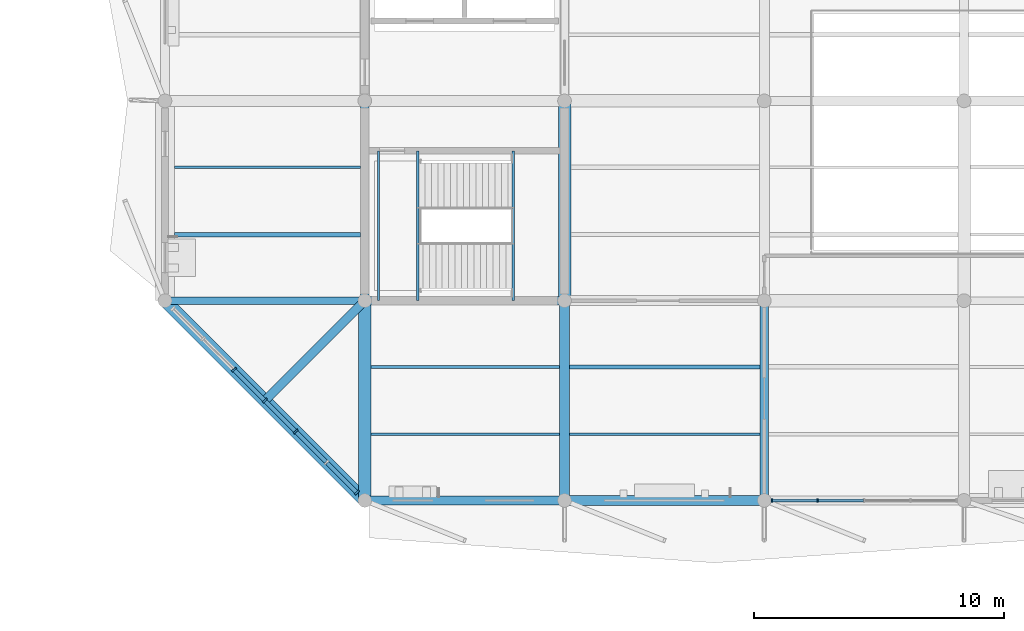
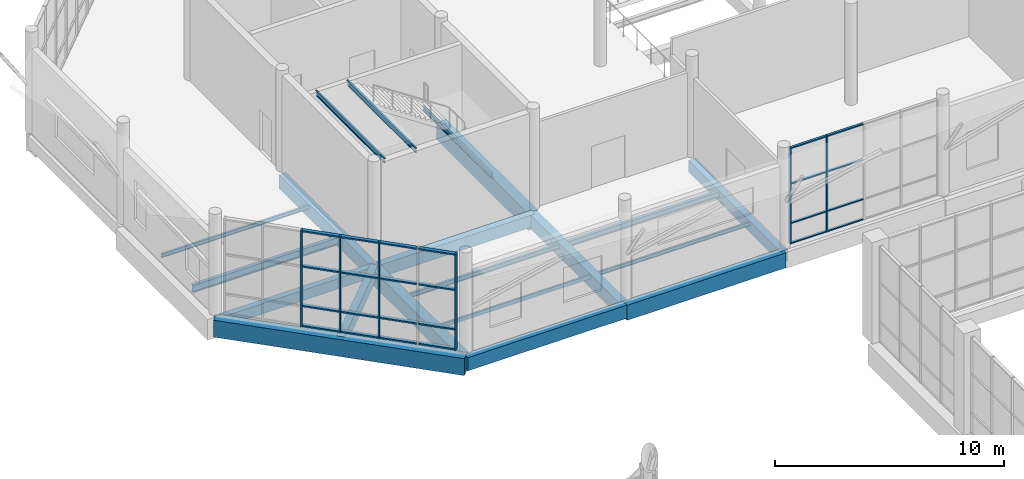
# One storey, part 44 of 122: 30 members, 20 beams, 2 elements without a shape of their own.
"""IFC4 building model written with IfcOpenShell, lengths in metres."""

from ifc_helpers import new_model, si_unit, direction, frame, origin, origin_2d, place, context, subcontext, project, spatial, rectangle, hollow_rectangle, i_section, extrude, material, material_profile, profile_set, type_object, element, aggregate, save


model = new_model("IFC4")

# Units and contexts
model_context = context("Model", 3, precision=1e-05, world=origin(), true_north=direction((0.0, 1.0)))
body_context = subcontext(model_context, "Body", "Model", "MODEL_VIEW")
ifc_project = project(units=[si_unit("LENGTHUNIT", "METRE"), si_unit("AREAUNIT", "SQUARE_METRE"), si_unit("VOLUMEUNIT", "CUBIC_METRE"), si_unit("PLANEANGLEUNIT", "RADIAN"), si_unit("MASSUNIT", "GRAM", prefix="KILO")], contexts=[model_context])

# Site, building, storey
site_placement = place(None, origin())
site = spatial("IfcSite", under=ifc_project, at=site_placement, CompositionType="ELEMENT")
building_placement = place(site_placement, origin())
building = spatial("IfcBuilding", under=site, at=building_placement, Name="Tenunan Teduh Sports Hall", CompositionType="ELEMENT")
storey_placement = place(building_placement, frame((0.0, 0.0, 5.39990234375)))
storey = spatial("IfcBuildingStorey", under=building, at=storey_placement, Name="L01", CompositionType="ELEMENT", Elevation=5.39990234375)

# Beams
ifc_material_1 = material(Name="Concrete C40/50", Category="concrete")
ifc_material_profile_1 = material_profile(ifc_material_1, rectangle(XDim=0.300048828125, YDim=0.550048828125, at=origin_2d()), Name="RCB 300x550")
ifc_profile_set_1 = profile_set([ifc_material_profile_1], Name="Concrete C40/50")
beam_type_1 = type_object("IfcBeamType", Name="BM-RC-300x550", PredefinedType="BEAM", material=ifc_profile_set_1)
beam_1_placement = place(storey_placement, frame((98.0, 94.0, -0.534912109375), z_axis=(1.0, 0.0, 0.0), x_axis=(0.0, 1.0, 0.0)))
element("IfcBeam", 1, at=beam_1_placement, inside=storey, type_object=beam_type_1, Name="BM-B-02-L01-1130", PredefinedType="BEAM", context=body_context, shape_type="SweptSolid", body=[
    extrude(rectangle(XDim=0.300048828125, YDim=0.550048828125, at=origin_2d()), origin(), (0.0, 0.0, 1.0), 8.0),
])
ifc_material_2 = material(Name="Concrete C40/50", Category="concrete")
ifc_material_profile_2 = material_profile(ifc_material_2, rectangle(XDim=0.35009765625, YDim=0.60009765625, at=origin_2d()), Name="RCB 350x600")
ifc_profile_set_2 = profile_set([ifc_material_profile_2], Name="Concrete C40/50")
beam_type_2 = type_object("IfcBeamType", Name="BM-RC-350x600", PredefinedType="BEAM", material=ifc_profile_set_2)
beam_2_placement = place(storey_placement, frame((122.0, 86.0, -0.559814453125), z_axis=(0.0, 1.0, 0.0), x_axis=(-1.0, 0.0, 0.0)))
element("IfcBeam", 2, at=beam_2_placement, inside=storey, type_object=beam_type_2, Name="BM-B-04-L01-1273", PredefinedType="BEAM", context=body_context, shape_type="SweptSolid", body=[
    extrude(rectangle(XDim=0.35009765625, YDim=0.60009765625, at=origin_2d()), origin(), (0.0, 0.0, 1.0), 8.0),
])
beam_3_placement = place(storey_placement, frame((106.0, 94.0, -0.5498046875), z_axis=(-0.707106781187, -0.707106781187, 0.0), x_axis=(0.707106781187, -0.707106781187, 0.0)))
element("IfcBeam", 3, at=beam_3_placement, inside=storey, type_object=beam_type_2, Name="BM-B-04-L01-2238", PredefinedType="BEAM", context=body_context, shape_type="SweptSolid", body=[
    extrude(rectangle(XDim=0.35009765625, YDim=0.60009765625, at=origin_2d()), origin(), (0.0, 0.0, 1.0), 5.65673828125),
])
ifc_material_3 = material(Name="Concrete C40/50", Category="concrete")
ifc_material_profile_3 = material_profile(ifc_material_3, rectangle(XDim=0.35009765625, YDim=0.64990234375, at=origin_2d()), Name="RCB 350x650")
ifc_profile_set_3 = profile_set([ifc_material_profile_3], Name="Concrete C40/50")
beam_type_3 = type_object("IfcBeamType", Name="BM-RC-350x650", PredefinedType="BEAM", material=ifc_profile_set_3)
beam_4_placement = place(storey_placement, frame((106.0, 94.0, -0.5849609375), z_axis=(1.0, 0.0, 0.0), x_axis=(0.0, 1.0, 0.0)))
element("IfcBeam", 4, at=beam_4_placement, inside=storey, type_object=beam_type_3, Name="BM-B-05-L01-1131", PredefinedType="BEAM", context=body_context, shape_type="SweptSolid", body=[
    extrude(rectangle(XDim=0.35009765625, YDim=0.64990234375, at=origin_2d()), origin(), (0.0, 0.0, 1.0), 8.0),
])
ifc_material_4 = material(Name="Concrete C40/50", Category="concrete")
ifc_material_profile_4 = material_profile(ifc_material_4, rectangle(XDim=0.35009765625, YDim=0.699951171875, at=origin_2d()), Name="RCB 350x700")
ifc_profile_set_4 = profile_set([ifc_material_profile_4], Name="Concrete C40/50")
beam_type_4 = type_object("IfcBeamType", Name="BM-RC-350x700", PredefinedType="BEAM", material=ifc_profile_set_4)
beam_5_placement = place(storey_placement, frame((106.0, 86.0, -0.60986328125), z_axis=(1.0, 0.0, 0.0), x_axis=(0.0, 1.0, 0.0)))
element("IfcBeam", 5, at=beam_5_placement, inside=storey, type_object=beam_type_4, Name="BM-B-06-L01-1114", PredefinedType="BEAM", context=body_context, shape_type="SweptSolid", body=[
    extrude(rectangle(XDim=0.35009765625, YDim=0.699951171875, at=origin_2d()), origin(), (0.0, 0.0, 1.0), 8.0),
])
ifc_material_5 = material(Name="Concrete C40/50", Category="concrete")
ifc_material_profile_5 = material_profile(ifc_material_5, rectangle(XDim=0.39990234375, YDim=0.75, at=origin_2d()), Name="RCB 400x750")
ifc_profile_set_5 = profile_set([ifc_material_profile_5], Name="Concrete C40/50")
beam_type_5 = type_object("IfcBeamType", Name="BM-RC-400x750", PredefinedType="BEAM", material=ifc_profile_set_5)
beam_6_placement = place(storey_placement, frame((114.0, 86.0, -0.635009765625), z_axis=(0.0, 1.0, 0.0), x_axis=(-1.0, 0.0, 0.0)))
element("IfcBeam", 6, at=beam_6_placement, inside=storey, type_object=beam_type_5, Name="BM-B-09-L01-1261", PredefinedType="BEAM", context=body_context, shape_type="SweptSolid", body=[
    extrude(rectangle(XDim=0.39990234375, YDim=0.75, at=origin_2d()), origin(), (0.0, 0.0, 1.0), 8.0),
])
ifc_material_6 = material(Name="Concrete C40/50", Category="concrete")
ifc_material_profile_6 = material_profile(ifc_material_6, rectangle(XDim=0.39990234375, YDim=0.800048828125, at=origin_2d()), Name="RCB 400x800")
ifc_profile_set_6 = profile_set([ifc_material_profile_6], Name="Concrete C40/50")
beam_type_6 = type_object("IfcBeamType", Name="BM-RC-400x800", PredefinedType="BEAM", material=ifc_profile_set_6)
beam_7_placement = place(storey_placement, frame((114.0, 86.0, -0.659912109375), z_axis=(1.0, 0.0, 0.0), x_axis=(0.0, 1.0, 0.0)))
element("IfcBeam", 7, at=beam_7_placement, inside=storey, type_object=beam_type_6, Name="BM-B-10-L01-1115", PredefinedType="BEAM", context=body_context, shape_type="SweptSolid", body=[
    extrude(rectangle(XDim=0.39990234375, YDim=0.800048828125, at=origin_2d()), origin(), (0.0, 0.0, 1.0), 8.0),
])
ifc_material_7 = material(Name="Concrete C40/50", Category="concrete")
ifc_material_profile_7 = material_profile(ifc_material_7, rectangle(XDim=0.5, YDim=0.800048828125, at=origin_2d()), Name="RCB 500x800")
ifc_profile_set_7 = profile_set([ifc_material_profile_7], Name="Concrete C40/50")
beam_type_7 = type_object("IfcBeamType", Name="BM-RC-500x800", PredefinedType="BEAM", material=ifc_profile_set_7)
beam_8_placement = place(storey_placement, frame((106.0, 86.0, -0.659912109375), z_axis=(0.0, 1.0, 0.0), x_axis=(-1.0, 0.0, 0.0)))
element("IfcBeam", 8, at=beam_8_placement, inside=storey, type_object=beam_type_7, Name="BM-B-14-L01-1256", PredefinedType="BEAM", context=body_context, shape_type="SweptSolid", body=[
    extrude(rectangle(XDim=0.5, YDim=0.800048828125, at=origin_2d()), origin(), (0.0, 0.0, 1.0), 8.0),
])
ifc_material_8 = material(Name="Concrete C40/50", Category="concrete")
ifc_material_profile_8 = material_profile(ifc_material_8, rectangle(XDim=0.5, YDim=0.89990234375, at=origin_2d()), Name="RCB 500x900")
ifc_profile_set_8 = profile_set([ifc_material_profile_8], Name="Concrete C40/50")
beam_type_8 = type_object("IfcBeamType", Name="BM-RC-500x900", PredefinedType="BEAM", material=ifc_profile_set_8)
beam_9_placement = place(storey_placement, frame((98.0, 94.0, -0.699951171875), z_axis=(0.707106781187, -0.707106781187, 0.0), x_axis=(0.707106781187, 0.707106781187, 0.0)))
element("IfcBeam", 9, at=beam_9_placement, inside=storey, type_object=beam_type_8, Name="BM-B-15-L01-0603", PredefinedType="BEAM", context=body_context, shape_type="SweptSolid", body=[
    extrude(rectangle(XDim=0.5, YDim=0.89990234375, at=origin_2d()), origin(), (0.0, 0.0, 1.0), 11.313720703125),
])
beam_10_placement = place(storey_placement, frame((114.0, 94.0, -0.7099609375), z_axis=(0.0, 1.0, 0.0), x_axis=(-1.0, 0.0, 0.0)))
element("IfcBeam", 10, at=beam_10_placement, inside=storey, type_object=beam_type_8, Name="BM-B-15-L01-1262", PredefinedType="BEAM", context=body_context, shape_type="SweptSolid", body=[
    extrude(rectangle(XDim=0.5, YDim=0.89990234375, at=origin_2d()), origin(), (0.0, 0.0, 1.0), 8.0),
])
ifc_material_9 = material(Name="Concrete C40/50", Category="concrete")
ifc_material_profile_9 = material_profile(ifc_material_9, rectangle(XDim=0.35009765625, YDim=0.719970703125, at=origin_2d()), Name="TB 350x720")
ifc_profile_set_9 = profile_set([ifc_material_profile_9], Name="Concrete C40/50")
beam_type_9 = type_object("IfcBeamType", Name="BM-TB-350x720", PredefinedType="T_BEAM", material=ifc_profile_set_9)
beam_11_placement = place(storey_placement, frame((106.0, 94.0, -0.619873046875), z_axis=(0.0, 1.0, 0.0), x_axis=(-1.0, 0.0, 0.0)))
element("IfcBeam", 11, at=beam_11_placement, inside=storey, type_object=beam_type_9, Name="BM-TB-01-L01-1257", PredefinedType="T_BEAM", context=body_context, shape_type="SweptSolid", body=[
    extrude(rectangle(XDim=0.35009765625, YDim=0.719970703125, at=origin_2d()), origin(), (0.0, 0.0, 1.0), 8.0),
])

# Curtain wall, members
ifc_material_10 = material(Name="Anodised aluminium", Category="aluminium")
curtain_wall_type = type_object("IfcCurtainWallType", Name="CW-UNIT-1", PredefinedType="NOTDEFINED", material=ifc_material_10)
curtain_wall_1_placement = place(storey_placement, origin())
curtain_wall_1 = element("IfcCurtainWall", 12, at=curtain_wall_1_placement, inside=storey, type_object=curtain_wall_type, Name="CW-CWM-150-L01-243", PredefinedType="NOTDEFINED")
ifc_material_11 = material(Name="Anodised aluminium", Category="aluminium")
ifc_material_profile_10 = material_profile(ifc_material_11, rectangle(XDim=0.06005859375, YDim=0.14990234375, at=origin_2d()), Name="CWM 60x150")
ifc_profile_set_10 = profile_set([ifc_material_profile_10], Name="Anodised aluminium")
member_type_1 = type_object("IfcMemberType", Name="CWM-150", PredefinedType="MULLION", material=ifc_profile_set_10)
member_1_placement = place(storey_placement, frame((122.304931640625, 86.0, 0.0), z_axis=(0.0, 0.0, 1.0), x_axis=(1.0, 0.0, 0.0)))
member_1 = element("IfcMember", 13, at=member_1_placement, type_object=member_type_1, Name="CW-01 mullion 1", PredefinedType="MULLION", context=body_context, shape_type="SweptSolid", body=[
    extrude(rectangle(XDim=0.06005859375, YDim=0.14990234375, at=origin_2d()), origin(), (0.0, 0.0, 1.0), 5.1201171875),
])
member_2_placement = place(storey_placement, frame((124.137451171875, 86.0, 0.0), z_axis=(0.0, 0.0, 1.0), x_axis=(1.0, 0.0, 0.0)))
member_2 = element("IfcMember", 14, at=member_2_placement, type_object=member_type_1, Name="CW-01 mullion 2", PredefinedType="MULLION", context=body_context, shape_type="SweptSolid", body=[
    extrude(rectangle(XDim=0.06005859375, YDim=0.14990234375, at=origin_2d()), origin(), (0.0, 0.0, 1.0), 5.1201171875),
])

curtain_wall_2_placement = place(storey_placement, origin())
curtain_wall_2 = element("IfcCurtainWall", 15, at=curtain_wall_2_placement, inside=storey, type_object=curtain_wall_type, Name="CW-CWM-220-L01-253", PredefinedType="NOTDEFINED")
ifc_material_12 = material(Name="Anodised aluminium", Category="aluminium")
ifc_material_profile_11 = material_profile(ifc_material_12, rectangle(XDim=0.074951171875, YDim=0.219970703125, at=origin_2d()), Name="CWM 75x220")
ifc_profile_set_11 = profile_set([ifc_material_profile_11], Name="Anodised aluminium")
member_type_2 = type_object("IfcMemberType", Name="CWM-220", PredefinedType="MULLION", material=ifc_profile_set_11)
member_3_placement = place(storey_placement, frame((100.762939453125, 91.237060546875, 0.0), z_axis=(0.0, 0.0, 1.0), x_axis=(-0.707106781187, 0.707106781187, 0.0)))
member_3 = element("IfcMember", 16, at=member_3_placement, type_object=member_type_2, Name="CW-01 mullion 3", PredefinedType="MULLION", context=body_context, shape_type="SweptSolid", body=[
    extrude(rectangle(XDim=0.074951171875, YDim=0.219970703125, at=origin_2d()), origin(), (0.0, 0.0, 1.0), 5.1201171875),
])
member_4_placement = place(storey_placement, frame((102.0, 90.0, 0.0), z_axis=(0.0, 0.0, 1.0), x_axis=(-0.707106781187, 0.707106781187, 0.0)))
member_4 = element("IfcMember", 17, at=member_4_placement, type_object=member_type_2, Name="CW-01 mullion 4", PredefinedType="MULLION", context=body_context, shape_type="SweptSolid", body=[
    extrude(rectangle(XDim=0.074951171875, YDim=0.219970703125, at=origin_2d()), origin(), (0.0, 0.0, 1.0), 5.1201171875),
])
member_5_placement = place(storey_placement, frame((103.237060546875, 88.762939453125, 0.0), z_axis=(0.0, 0.0, 1.0), x_axis=(-0.707106781187, 0.707106781187, 0.0)))
member_5 = element("IfcMember", 18, at=member_5_placement, type_object=member_type_2, Name="CW-01 mullion 5", PredefinedType="MULLION", context=body_context, shape_type="SweptSolid", body=[
    extrude(rectangle(XDim=0.074951171875, YDim=0.219970703125, at=origin_2d()), origin(), (0.0, 0.0, 1.0), 5.1201171875),
])
member_6_placement = place(storey_placement, frame((105.684814453125, 86.315185546875, 0.0), z_axis=(0.0, 0.0, 1.0), x_axis=(-0.707106781187, 0.707106781187, 0.0)))
member_6 = element("IfcMember", 19, at=member_6_placement, type_object=member_type_2, Name="CW-01 mullion 7", PredefinedType="MULLION", context=body_context, shape_type="SweptSolid", body=[
    extrude(rectangle(XDim=0.074951171875, YDim=0.219970703125, at=origin_2d()), origin(), (0.0, 0.0, 1.0), 5.1201171875),
])

# Member
ifc_material_13 = material(Name="Anodised aluminium", Category="aluminium")
ifc_material_profile_12 = material_profile(ifc_material_13, rectangle(XDim=0.06005859375, YDim=0.1201171875, at=origin_2d()), Name="CWT 60x120")
ifc_profile_set_12 = profile_set([ifc_material_profile_12], Name="Anodised aluminium")
member_type_3 = type_object("IfcMemberType", Name="CWT-125", PredefinedType="USERDEFINED", material=ifc_profile_set_12)
member_7_placement = place(storey_placement, frame((122.3349609375, 86.0, 0.030029296875), z_axis=(1.0, 0.0, 0.0), x_axis=(0.0, 0.0, 1.0)))
member_7 = element("IfcMember", 20, at=member_7_placement, type_object=member_type_3, Name="CW-01 transom 1.1", ObjectType="TRANSOM", PredefinedType="USERDEFINED", context=body_context, shape_type="SweptSolid", body=[
    extrude(rectangle(XDim=0.06005859375, YDim=0.1201171875, at=origin_2d()), origin(), (0.0, 0.0, 1.0), 1.7724609375),
])

member_8_placement = place(storey_placement, frame((122.3349609375, 86.0, 1.10009765625), z_axis=(1.0, 0.0, 0.0), x_axis=(0.0, 0.0, 1.0)))
member_8 = element("IfcMember", 21, at=member_8_placement, type_object=member_type_3, Name="CW-01 transom 1.2", ObjectType="TRANSOM", PredefinedType="USERDEFINED", context=body_context, shape_type="SweptSolid", body=[
    extrude(rectangle(XDim=0.06005859375, YDim=0.1201171875, at=origin_2d()), origin(), (0.0, 0.0, 1.0), 1.7724609375),
])

member_9_placement = place(storey_placement, frame((122.3349609375, 86.0, 3.2001953125), z_axis=(1.0, 0.0, 0.0), x_axis=(0.0, 0.0, 1.0)))
member_9 = element("IfcMember", 22, at=member_9_placement, type_object=member_type_3, Name="CW-01 transom 1.3", ObjectType="TRANSOM", PredefinedType="USERDEFINED", context=body_context, shape_type="SweptSolid", body=[
    extrude(rectangle(XDim=0.06005859375, YDim=0.1201171875, at=origin_2d()), origin(), (0.0, 0.0, 1.0), 1.7724609375),
])

member_10_placement = place(storey_placement, frame((122.3349609375, 86.0, 5.090087890625), z_axis=(1.0, 0.0, 0.0), x_axis=(0.0, 0.0, 1.0)))
member_10 = element("IfcMember", 23, at=member_10_placement, type_object=member_type_3, Name="CW-01 transom 1.4", ObjectType="TRANSOM", PredefinedType="USERDEFINED", context=body_context, shape_type="SweptSolid", body=[
    extrude(rectangle(XDim=0.06005859375, YDim=0.1201171875, at=origin_2d()), origin(), (0.0, 0.0, 1.0), 1.7724609375),
])

member_11_placement = place(storey_placement, frame((124.16748046875, 86.0, 0.030029296875), z_axis=(1.0, 0.0, 0.0), x_axis=(0.0, 0.0, 1.0)))
member_11 = element("IfcMember", 24, at=member_11_placement, type_object=member_type_3, Name="CW-01 transom 2.1", ObjectType="TRANSOM", PredefinedType="USERDEFINED", context=body_context, shape_type="SweptSolid", body=[
    extrude(rectangle(XDim=0.06005859375, YDim=0.1201171875, at=origin_2d()), origin(), (0.0, 0.0, 1.0), 1.802490234375),
])

member_12_placement = place(storey_placement, frame((124.16748046875, 86.0, 1.10009765625), z_axis=(1.0, 0.0, 0.0), x_axis=(0.0, 0.0, 1.0)))
member_12 = element("IfcMember", 25, at=member_12_placement, type_object=member_type_3, Name="CW-01 transom 2.2", ObjectType="TRANSOM", PredefinedType="USERDEFINED", context=body_context, shape_type="SweptSolid", body=[
    extrude(rectangle(XDim=0.06005859375, YDim=0.1201171875, at=origin_2d()), origin(), (0.0, 0.0, 1.0), 1.802490234375),
])

member_13_placement = place(storey_placement, frame((124.16748046875, 86.0, 3.2001953125), z_axis=(1.0, 0.0, 0.0), x_axis=(0.0, 0.0, 1.0)))
member_13 = element("IfcMember", 26, at=member_13_placement, type_object=member_type_3, Name="CW-01 transom 2.3", ObjectType="TRANSOM", PredefinedType="USERDEFINED", context=body_context, shape_type="SweptSolid", body=[
    extrude(rectangle(XDim=0.06005859375, YDim=0.1201171875, at=origin_2d()), origin(), (0.0, 0.0, 1.0), 1.802490234375),
])

member_14_placement = place(storey_placement, frame((124.16748046875, 86.0, 5.090087890625), z_axis=(1.0, 0.0, 0.0), x_axis=(0.0, 0.0, 1.0)))
member_14 = element("IfcMember", 27, at=member_14_placement, type_object=member_type_3, Name="CW-01 transom 2.4", ObjectType="TRANSOM", PredefinedType="USERDEFINED", context=body_context, shape_type="SweptSolid", body=[
    extrude(rectangle(XDim=0.06005859375, YDim=0.1201171875, at=origin_2d()), origin(), (0.0, 0.0, 1.0), 1.802490234375),
])

aggregate(curtain_wall_1, [member_1, member_2, member_7, member_8, member_9, member_10, member_11, member_12, member_13, member_14])

ifc_material_14 = material(Name="Anodised aluminium", Category="aluminium")
ifc_material_profile_13 = material_profile(ifc_material_14, rectangle(XDim=0.074951171875, YDim=0.179931640625, at=origin_2d()), Name="CWT 75x180")
ifc_profile_set_13 = profile_set([ifc_material_profile_13], Name="Anodised aluminium")
member_type_4 = type_object("IfcMemberType", Name="CWT-180", PredefinedType="USERDEFINED", material=ifc_profile_set_13)
member_15_placement = place(storey_placement, frame((100.789306640625, 91.210693359375, 0.03759765625), z_axis=(0.707106781187, -0.707106781187, 0.0), x_axis=(0.0, 0.0, 1.0)))
member_15 = element("IfcMember", 28, at=member_15_placement, type_object=member_type_4, Name="CW-01 transom 3.1", ObjectType="TRANSOM", PredefinedType="USERDEFINED", context=body_context, shape_type="SweptSolid", body=[
    extrude(rectangle(XDim=0.074951171875, YDim=0.179931640625, at=origin_2d()), origin(), (0.0, 0.0, 1.0), 1.674560546875),
])

member_16_placement = place(storey_placement, frame((100.789306640625, 91.210693359375, 1.10009765625), z_axis=(0.707106781187, -0.707106781187, 0.0), x_axis=(0.0, 0.0, 1.0)))
member_16 = element("IfcMember", 29, at=member_16_placement, type_object=member_type_4, Name="CW-01 transom 3.2", ObjectType="TRANSOM", PredefinedType="USERDEFINED", context=body_context, shape_type="SweptSolid", body=[
    extrude(rectangle(XDim=0.074951171875, YDim=0.179931640625, at=origin_2d()), origin(), (0.0, 0.0, 1.0), 1.674560546875),
])

member_17_placement = place(storey_placement, frame((100.789306640625, 91.210693359375, 3.2001953125), z_axis=(0.707106781187, -0.707106781187, 0.0), x_axis=(0.0, 0.0, 1.0)))
member_17 = element("IfcMember", 30, at=member_17_placement, type_object=member_type_4, Name="CW-01 transom 3.3", ObjectType="TRANSOM", PredefinedType="USERDEFINED", context=body_context, shape_type="SweptSolid", body=[
    extrude(rectangle(XDim=0.074951171875, YDim=0.179931640625, at=origin_2d()), origin(), (0.0, 0.0, 1.0), 1.674560546875),
])

member_18_placement = place(storey_placement, frame((100.789306640625, 91.210693359375, 5.08251953125), z_axis=(0.707106781187, -0.707106781187, 0.0), x_axis=(0.0, 0.0, 1.0)))
member_18 = element("IfcMember", 31, at=member_18_placement, type_object=member_type_4, Name="CW-01 transom 3.4", ObjectType="TRANSOM", PredefinedType="USERDEFINED", context=body_context, shape_type="SweptSolid", body=[
    extrude(rectangle(XDim=0.074951171875, YDim=0.179931640625, at=origin_2d()), origin(), (0.0, 0.0, 1.0), 1.674560546875),
])

member_19_placement = place(storey_placement, frame((102.026611328125, 89.973388671875, 0.03759765625), z_axis=(0.707106781187, -0.707106781187, 0.0), x_axis=(0.0, 0.0, 1.0)))
member_19 = element("IfcMember", 32, at=member_19_placement, type_object=member_type_4, Name="CW-01 transom 4.1", ObjectType="TRANSOM", PredefinedType="USERDEFINED", context=body_context, shape_type="SweptSolid", body=[
    extrude(rectangle(XDim=0.074951171875, YDim=0.179931640625, at=origin_2d()), origin(), (0.0, 0.0, 1.0), 1.674560546875),
])

member_20_placement = place(storey_placement, frame((102.026611328125, 89.973388671875, 1.10009765625), z_axis=(0.707106781187, -0.707106781187, 0.0), x_axis=(0.0, 0.0, 1.0)))
member_20 = element("IfcMember", 33, at=member_20_placement, type_object=member_type_4, Name="CW-01 transom 4.2", ObjectType="TRANSOM", PredefinedType="USERDEFINED", context=body_context, shape_type="SweptSolid", body=[
    extrude(rectangle(XDim=0.074951171875, YDim=0.179931640625, at=origin_2d()), origin(), (0.0, 0.0, 1.0), 1.674560546875),
])

member_21_placement = place(storey_placement, frame((102.026611328125, 89.973388671875, 3.2001953125), z_axis=(0.707106781187, -0.707106781187, 0.0), x_axis=(0.0, 0.0, 1.0)))
member_21 = element("IfcMember", 34, at=member_21_placement, type_object=member_type_4, Name="CW-01 transom 4.3", ObjectType="TRANSOM", PredefinedType="USERDEFINED", context=body_context, shape_type="SweptSolid", body=[
    extrude(rectangle(XDim=0.074951171875, YDim=0.179931640625, at=origin_2d()), origin(), (0.0, 0.0, 1.0), 1.674560546875),
])

member_22_placement = place(storey_placement, frame((102.026611328125, 89.973388671875, 5.08251953125), z_axis=(0.707106781187, -0.707106781187, 0.0), x_axis=(0.0, 0.0, 1.0)))
member_22 = element("IfcMember", 35, at=member_22_placement, type_object=member_type_4, Name="CW-01 transom 4.4", ObjectType="TRANSOM", PredefinedType="USERDEFINED", context=body_context, shape_type="SweptSolid", body=[
    extrude(rectangle(XDim=0.074951171875, YDim=0.179931640625, at=origin_2d()), origin(), (0.0, 0.0, 1.0), 1.674560546875),
])

member_23_placement = place(storey_placement, frame((103.263671875, 88.736328125, 0.03759765625), z_axis=(0.707106781187, -0.707106781187, 0.0), x_axis=(0.0, 0.0, 1.0)))
member_23 = element("IfcMember", 36, at=member_23_placement, type_object=member_type_4, Name="CW-01 transom 5.1", ObjectType="TRANSOM", PredefinedType="USERDEFINED", context=body_context, shape_type="SweptSolid", body=[
    extrude(rectangle(XDim=0.074951171875, YDim=0.179931640625, at=origin_2d()), origin(), (0.0, 0.0, 1.0), 1.674560546875),
])

member_24_placement = place(storey_placement, frame((103.263671875, 88.736328125, 1.10009765625), z_axis=(0.707106781187, -0.707106781187, 0.0), x_axis=(0.0, 0.0, 1.0)))
member_24 = element("IfcMember", 37, at=member_24_placement, type_object=member_type_4, Name="CW-01 transom 5.2", ObjectType="TRANSOM", PredefinedType="USERDEFINED", context=body_context, shape_type="SweptSolid", body=[
    extrude(rectangle(XDim=0.074951171875, YDim=0.179931640625, at=origin_2d()), origin(), (0.0, 0.0, 1.0), 1.674560546875),
])

member_25_placement = place(storey_placement, frame((103.263671875, 88.736328125, 3.2001953125), z_axis=(0.707106781187, -0.707106781187, 0.0), x_axis=(0.0, 0.0, 1.0)))
member_25 = element("IfcMember", 38, at=member_25_placement, type_object=member_type_4, Name="CW-01 transom 5.3", ObjectType="TRANSOM", PredefinedType="USERDEFINED", context=body_context, shape_type="SweptSolid", body=[
    extrude(rectangle(XDim=0.074951171875, YDim=0.179931640625, at=origin_2d()), origin(), (0.0, 0.0, 1.0), 1.674560546875),
])

member_26_placement = place(storey_placement, frame((103.263671875, 88.736328125, 5.08251953125), z_axis=(0.707106781187, -0.707106781187, 0.0), x_axis=(0.0, 0.0, 1.0)))
member_26 = element("IfcMember", 39, at=member_26_placement, type_object=member_type_4, Name="CW-01 transom 5.4", ObjectType="TRANSOM", PredefinedType="USERDEFINED", context=body_context, shape_type="SweptSolid", body=[
    extrude(rectangle(XDim=0.074951171875, YDim=0.179931640625, at=origin_2d()), origin(), (0.0, 0.0, 1.0), 1.674560546875),
])

member_27_placement = place(storey_placement, frame((104.500732421875, 87.499267578125, 0.03759765625), z_axis=(0.707106781187, -0.707106781187, 0.0), x_axis=(0.0, 0.0, 1.0)))
member_27 = element("IfcMember", 40, at=member_27_placement, type_object=member_type_4, Name="CW-01 transom 6.1", ObjectType="TRANSOM", PredefinedType="USERDEFINED", context=body_context, shape_type="SweptSolid", body=[
    extrude(rectangle(XDim=0.074951171875, YDim=0.179931640625, at=origin_2d()), origin(), (0.0, 0.0, 1.0), 1.636962890625),
])

member_28_placement = place(storey_placement, frame((104.500732421875, 87.499267578125, 1.10009765625), z_axis=(0.707106781187, -0.707106781187, 0.0), x_axis=(0.0, 0.0, 1.0)))
member_28 = element("IfcMember", 41, at=member_28_placement, type_object=member_type_4, Name="CW-01 transom 6.2", ObjectType="TRANSOM", PredefinedType="USERDEFINED", context=body_context, shape_type="SweptSolid", body=[
    extrude(rectangle(XDim=0.074951171875, YDim=0.179931640625, at=origin_2d()), origin(), (0.0, 0.0, 1.0), 1.636962890625),
])

member_29_placement = place(storey_placement, frame((104.500732421875, 87.499267578125, 3.2001953125), z_axis=(0.707106781187, -0.707106781187, 0.0), x_axis=(0.0, 0.0, 1.0)))
member_29 = element("IfcMember", 42, at=member_29_placement, type_object=member_type_4, Name="CW-01 transom 6.3", ObjectType="TRANSOM", PredefinedType="USERDEFINED", context=body_context, shape_type="SweptSolid", body=[
    extrude(rectangle(XDim=0.074951171875, YDim=0.179931640625, at=origin_2d()), origin(), (0.0, 0.0, 1.0), 1.636962890625),
])

member_30_placement = place(storey_placement, frame((104.500732421875, 87.499267578125, 5.08251953125), z_axis=(0.707106781187, -0.707106781187, 0.0), x_axis=(0.0, 0.0, 1.0)))
member_30 = element("IfcMember", 43, at=member_30_placement, type_object=member_type_4, Name="CW-01 transom 6.4", ObjectType="TRANSOM", PredefinedType="USERDEFINED", context=body_context, shape_type="SweptSolid", body=[
    extrude(rectangle(XDim=0.074951171875, YDim=0.179931640625, at=origin_2d()), origin(), (0.0, 0.0, 1.0), 1.636962890625),
])

aggregate(curtain_wall_2, [member_3, member_4, member_5, member_6, member_15, member_16, member_17, member_18, member_19, member_20, member_21, member_22, member_23, member_24, member_25, member_26, member_27, member_28, member_29, member_30])

# Beams
ifc_material_15 = material(Name="Steel S355", Category="steel")
ifc_material_profile_14 = material_profile(ifc_material_15, i_section(OverallWidth=0.10009765625, OverallDepth=0.199951171875, WebThickness=0.005615234375, FlangeThickness=0.008544921875, FilletRadius=0.011962890625, at=origin_2d()), Name="IPE 200")
ifc_profile_set_14 = profile_set([ifc_material_profile_14], Name="Steel S355")
beam_type_10 = type_object("IfcBeamType", Name="JST-IPE200", PredefinedType="JOIST", material=ifc_profile_set_14)
beam_12_placement = place(storey_placement, frame((98.375, 99.35009765625, -0.35986328125), z_axis=(1.0, 0.0, 0.0), x_axis=(0.0, 1.0, 0.0)))
element("IfcBeam", 44, at=beam_12_placement, inside=storey, type_object=beam_type_10, Name="BM-J-01-L01-1391", PredefinedType="JOIST", context=body_context, shape_type="SweptSolid", body=[
    extrude(i_section(OverallWidth=0.10009765625, OverallDepth=0.199951171875, WebThickness=0.005615234375, FlangeThickness=0.008544921875, FilletRadius=0.011962890625, at=origin_2d()), origin(), (0.0, 0.0, 1.0), 7.449951171875),
])
beam_13_placement = place(storey_placement, frame((114.199951171875, 88.64990234375, -0.35986328125), z_axis=(1.0, 0.0, 0.0), x_axis=(0.0, 1.0, 0.0)))
element("IfcBeam", 45, at=beam_13_placement, inside=storey, type_object=beam_type_10, Name="BM-J-01-L01-1402", PredefinedType="JOIST", context=body_context, shape_type="SweptSolid", body=[
    extrude(i_section(OverallWidth=0.10009765625, OverallDepth=0.199951171875, WebThickness=0.005615234375, FlangeThickness=0.008544921875, FilletRadius=0.011962890625, at=origin_2d()), origin(), (0.0, 0.0, 1.0), 7.625),
])
ifc_material_16 = material(Name="Steel S355", Category="steel")
ifc_material_profile_15 = material_profile(ifc_material_16, i_section(OverallWidth=0.1201171875, OverallDepth=0.239990234375, WebThickness=0.006103515625, FlangeThickness=0.009765625, FilletRadius=0.014892578125, at=origin_2d()), Name="IPE 240")
ifc_profile_set_15 = profile_set([ifc_material_profile_15], Name="Steel S355")
beam_type_11 = type_object("IfcBeamType", Name="JST-IPE240", PredefinedType="JOIST", material=ifc_profile_set_15)
beam_14_placement = place(storey_placement, frame((106.25, 91.35009765625, -0.3798828125), z_axis=(1.0, 0.0, 0.0), x_axis=(0.0, 1.0, 0.0)))
element("IfcBeam", 46, at=beam_14_placement, inside=storey, type_object=beam_type_11, Name="BM-J-02-L01-1397", PredefinedType="JOIST", context=body_context, shape_type="SweptSolid", body=[
    extrude(i_section(OverallWidth=0.1201171875, OverallDepth=0.239990234375, WebThickness=0.006103515625, FlangeThickness=0.009765625, FilletRadius=0.014892578125, at=origin_2d()), origin(), (0.0, 0.0, 1.0), 7.550048828125),
])
ifc_material_17 = material(Name="Steel S355", Category="steel")
ifc_material_profile_16 = material_profile(ifc_material_17, i_section(OverallWidth=0.179931640625, OverallDepth=0.39990234375, WebThickness=0.008544921875, FlangeThickness=0.013427734375, FilletRadius=0.02099609375, at=origin_2d()), Name="IPE 400")
ifc_profile_set_16 = profile_set([ifc_material_profile_16], Name="Steel S355")
beam_type_12 = type_object("IfcBeamType", Name="JST-IPE400", PredefinedType="JOIST", material=ifc_profile_set_16)
beam_15_placement = place(storey_placement, frame((98.375, 96.64990234375, -0.4599609375), z_axis=(1.0, 0.0, 0.0), x_axis=(0.0, 1.0, 0.0)))
element("IfcBeam", 47, at=beam_15_placement, inside=storey, type_object=beam_type_12, Name="BM-J-06-L01-1390", PredefinedType="JOIST", context=body_context, shape_type="SweptSolid", body=[
    extrude(i_section(OverallWidth=0.179931640625, OverallDepth=0.39990234375, WebThickness=0.008544921875, FlangeThickness=0.013427734375, FilletRadius=0.02099609375, at=origin_2d()), origin(), (0.0, 0.0, 1.0), 7.449951171875),
])
ifc_material_18 = material(Name="Steel S355", Category="steel")
ifc_material_profile_17 = material_profile(ifc_material_18, hollow_rectangle(XDim=0.10009765625, YDim=0.199951171875, WallThickness=0.008056640625, at=origin_2d()), Name="RHS 200x100x8.0")
ifc_profile_set_17 = profile_set([ifc_material_profile_17], Name="Steel S355")
beam_type_13 = type_object("IfcBeamType", Name="RBM-RHS200", PredefinedType="JOIST", material=ifc_profile_set_17)
beam_16_placement = place(storey_placement, frame((106.25, 88.64990234375, -0.35986328125), z_axis=(1.0, 0.0, 0.0), x_axis=(0.0, 1.0, 0.0)))
element("IfcBeam", 48, at=beam_16_placement, inside=storey, type_object=beam_type_13, Name="Perimeter Ring Beam BM-RB-05-L01-1396", PredefinedType="JOIST", context=body_context, shape_type="SweptSolid", body=[
    extrude(hollow_rectangle(XDim=0.10009765625, YDim=0.199951171875, WallThickness=0.008056640625, at=origin_2d()), origin(), (0.0, 0.0, 1.0), 7.550048828125),
])
ifc_material_19 = material(Name="Steel S355", Category="steel")
ifc_material_profile_18 = material_profile(ifc_material_19, i_section(OverallWidth=0.1650390625, OverallDepth=0.303466796875, WebThickness=0.006103515625, FlangeThickness=0.01025390625, FilletRadius=0.0087890625, at=origin_2d()), Name="UKB 305x165x40")
ifc_profile_set_18 = profile_set([ifc_material_profile_18], Name="Steel S355")
beam_type_14 = type_object("IfcBeamType", Name="SBM-UKB305", PredefinedType="BEAM", material=ifc_profile_set_18)
beam_17_placement = place(storey_placement, frame((114.199951171875, 91.35009765625, -0.41162109375), z_axis=(1.0, 0.0, 0.0), x_axis=(0.0, 1.0, 0.0)))
element("IfcBeam", 49, at=beam_17_placement, inside=storey, type_object=beam_type_14, Name="BM-SB-01-L01-1403", PredefinedType="BEAM", context=body_context, shape_type="SweptSolid", body=[
    extrude(i_section(OverallWidth=0.1650390625, OverallDepth=0.303466796875, WebThickness=0.006103515625, FlangeThickness=0.01025390625, FilletRadius=0.0087890625, at=origin_2d()), origin(), (0.0, 0.0, 1.0), 7.625),
])
ifc_material_20 = material(Name="Steel S355", Category="steel")
ifc_material_profile_19 = material_profile(ifc_material_20, i_section(OverallWidth=0.090087890625, OverallDepth=0.260009765625, WebThickness=0.008056640625, FlangeThickness=0.013916015625, FilletRadius=0.011962890625, at=origin_2d()), Name="PFC 260x90")
ifc_profile_set_19 = profile_set([ifc_material_profile_19], Name="Steel S355")
beam_type_15 = type_object("IfcBeamType", Name="STR-BM-TRIM", PredefinedType="BEAM", material=ifc_profile_set_19)
for number, where, z_axis, x_axis, name in (
    (50, (111.945068359375, 94.0, 2.3701171875), (0.0, 1.0, 0.0), (-1.0, 0.0, 0.0), "BM-SS-02-E1-L01-M"),
    (51, (108.1201171875, 94.0, 5.070068359375), (0.0, 1.0, 0.0), (-1.0, 0.0, 0.0), "BM-SS-02-E1-L01-T"),
    (52, (106.550048828125, 94.0, 5.070068359375), (0.0, 1.0, 0.0), (-1.0, 0.0, 0.0), "BM-SS-02-E1-L01-TW"),
):
    element("IfcBeam", number, at=place(storey_placement, frame(where, z_axis=z_axis, x_axis=x_axis)), inside=storey, type_object=beam_type_15, Name=name, PredefinedType="BEAM", context=body_context, shape_type="SweptSolid", body=[
        extrude(i_section(OverallWidth=0.090087890625, OverallDepth=0.260009765625, WebThickness=0.008056640625, FlangeThickness=0.013916015625, FilletRadius=0.011962890625, at=origin_2d()), origin(), (0.0, 0.0, 1.0), 6.0),
    ])

save(model, "model.ifc")
